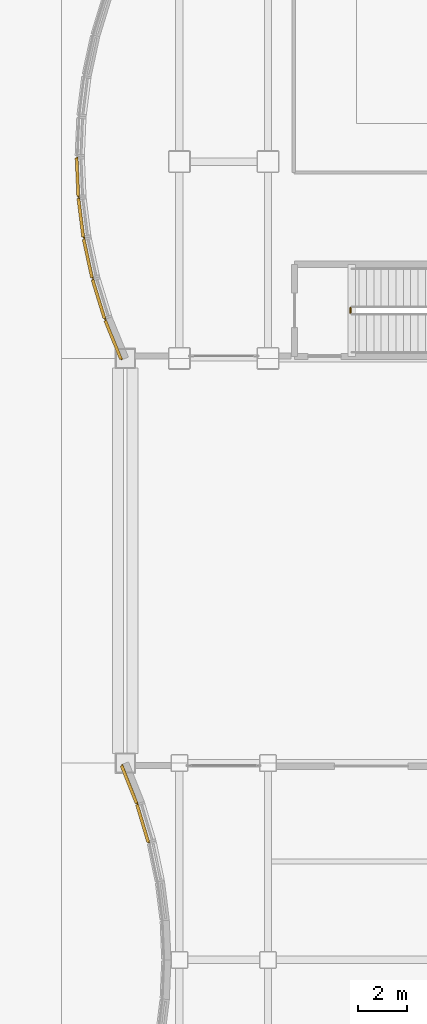
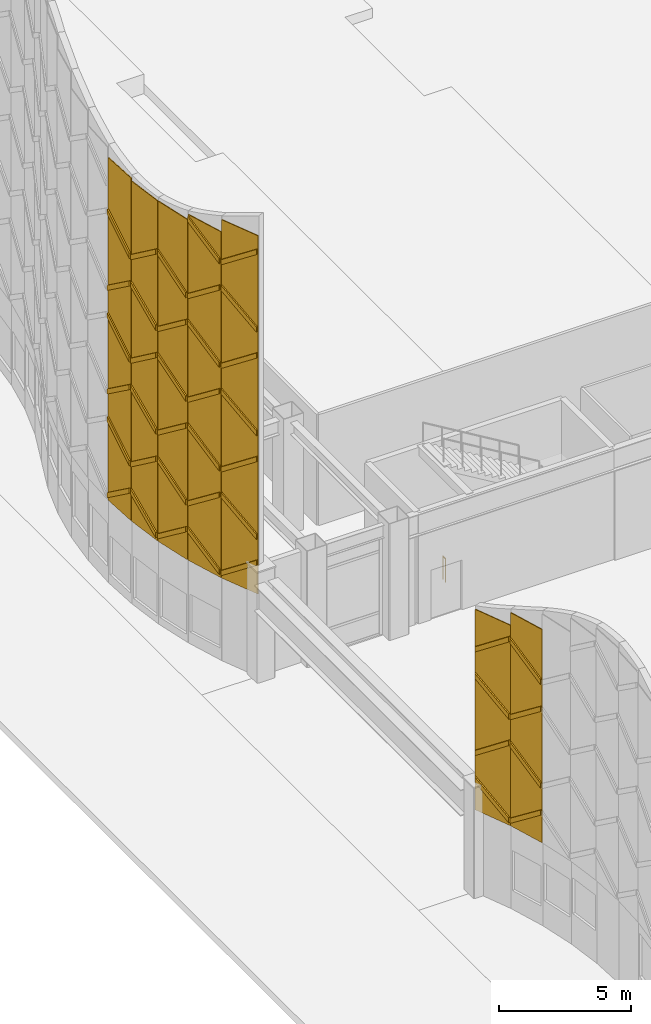
# One storey, part 144 of 165: 47 coverings, 1 railing.
"""IFC4 building model written with IfcOpenShell, lengths in metres."""

from ifc_helpers import new_model, si_unit, direction, frame, origin, origin_2d, place, context, subcontext, project, spatial, polyline, rectangle, circle, outline, extrude, material, layer, layer_set, type_object, element, save


model = new_model("IFC4")

# Units and contexts
model_context = context("Model", 3, precision=1e-05, world=origin(), true_north=direction((0.0, 1.0)))
body_context = subcontext(model_context, "Body", "Model", "MODEL_VIEW")
ifc_project = project(units=[si_unit("LENGTHUNIT", "METRE"), si_unit("AREAUNIT", "SQUARE_METRE"), si_unit("VOLUMEUNIT", "CUBIC_METRE"), si_unit("PLANEANGLEUNIT", "RADIAN"), si_unit("MASSUNIT", "GRAM", prefix="KILO")], contexts=[model_context])

# Site, building, storey
site_placement = place(None, origin())
site = spatial("IfcSite", under=ifc_project, at=site_placement, CompositionType="ELEMENT")
building_placement = place(site_placement, origin())
building = spatial("IfcBuilding", under=site, at=building_placement, Name="Kazehara Bluff Congress Hotel", CompositionType="ELEMENT")
storey_placement = place(building_placement, origin())
storey = spatial("IfcBuildingStorey", under=building, at=storey_placement, Name="L00", CompositionType="ELEMENT", Elevation=0.0)

# Coverings
ifc_material_1 = material(Name="Basalt stone-grey chevron ceramic tile", Category="masonry")
ifc_layer_1 = layer(ifc_material_1, 0.1201171875)
ifc_layer_set_1 = layer_set([ifc_layer_1], Name="Basalt stone-grey chevron ceramic tile")
covering_type_1 = type_object("IfcCoveringType", Name="TP-CHV-RIB", PredefinedType="CLADDING", material=ifc_layer_set_1)
covering_1_placement = place(storey_placement, frame((3.544921875, 28.75, 4.0), z_axis=(0.0, 0.0, 1.0), x_axis=(-0.287321069857, 0.957834329525, 0.0)))
element("IfcCovering", 1, at=covering_1_placement, inside=storey, type_object=covering_type_1, Name="Chevron stone-grey tile rib WR-V2-19-1", PredefinedType="CLADDING", context=body_context, shape_type="SweptSolid", body=[
    extrude(outline(polyline([(0.0400390625, 1.14501953125), (1.6298828125, 0.0), (1.6298828125, 0.239990234375), (0.0400390625, 1.385009765625), (0.0400390625, 1.14501953125)])), frame((0.0, 0.06005859375, 0.0), z_axis=(0.0, -1.0, 0.0), x_axis=(1.0, 0.0, 0.0)), (0.0, 0.0, 1.0), 0.1201171875),
])
covering_2_placement = place(storey_placement, frame((3.544921875, 28.75, 6.39990234375), z_axis=(0.0, 0.0, 1.0), x_axis=(-0.287321069857, 0.957834329525, 0.0)))
element("IfcCovering", 2, at=covering_2_placement, inside=storey, type_object=covering_type_1, Name="Chevron stone-grey tile rib WR-V2-19-2", PredefinedType="CLADDING", context=body_context, shape_type="SweptSolid", body=[
    extrude(outline(polyline([(0.0400390625, 0.0), (1.6298828125, 1.14501953125), (1.6298828125, 1.385009765625), (0.0400390625, 0.239990234375), (0.0400390625, 0.0)])), frame((0.0, 0.06005859375, 0.0), z_axis=(0.0, -1.0, 0.0), x_axis=(1.0, 0.0, 0.0)), (0.0, 0.0, 1.0), 0.1201171875),
])
covering_3_placement = place(storey_placement, frame((3.544921875, 28.75, 8.800048828125), z_axis=(0.0, 0.0, 1.0), x_axis=(-0.287321069857, 0.957834329525, 0.0)))
element("IfcCovering", 3, at=covering_3_placement, inside=storey, type_object=covering_type_1, Name="Chevron stone-grey tile rib WR-V2-19-3", PredefinedType="CLADDING", context=body_context, shape_type="SweptSolid", body=[
    extrude(outline(polyline([(0.0400390625, 1.14501953125), (1.6298828125, 0.0), (1.6298828125, 0.239990234375), (0.0400390625, 1.385009765625), (0.0400390625, 1.14501953125)])), frame((0.0, 0.06005859375, 0.0), z_axis=(0.0, -1.0, 0.0), x_axis=(1.0, 0.0, 0.0)), (0.0, 0.0, 1.0), 0.1201171875),
])
covering_4_placement = place(storey_placement, frame((3.544921875, 28.75, 11.199951171875), z_axis=(0.0, 0.0, 1.0), x_axis=(-0.287321069857, 0.957834329525, 0.0)))
element("IfcCovering", 4, at=covering_4_placement, inside=storey, type_object=covering_type_1, Name="Chevron stone-grey tile rib WR-V2-19-4", PredefinedType="CLADDING", context=body_context, shape_type="SweptSolid", body=[
    extrude(outline(polyline([(0.0400390625, 0.0), (1.6298828125, 1.14501953125), (1.6298828125, 1.385009765625), (0.0400390625, 0.239990234375), (0.0400390625, 0.0)])), frame((0.0, 0.06005859375, 0.0), z_axis=(0.0, -1.0, 0.0), x_axis=(1.0, 0.0, 0.0)), (0.0, 0.0, 1.0), 0.1201171875),
])
covering_5_placement = place(storey_placement, frame((3.070068359375, 30.3349609375, 4.0), z_axis=(0.0, 0.0, 1.0), x_axis=(-0.368870803066, 0.92948067793, 0.0)))
element("IfcCovering", 5, at=covering_5_placement, inside=storey, type_object=covering_type_1, Name="Chevron stone-grey tile rib WR-V2-20-1", PredefinedType="CLADDING", context=body_context, shape_type="SweptSolid", body=[
    extrude(outline(polyline([(0.0400390625, 0.0), (1.679931640625, 1.179931640625), (1.679931640625, 1.419921875), (0.0400390625, 0.239990234375), (0.0400390625, 0.0)])), frame((0.0, 0.06005859375, 0.0), z_axis=(0.0, -1.0, 0.0), x_axis=(1.0, 0.0, 0.0)), (0.0, 0.0, 1.0), 0.1201171875),
])
covering_6_placement = place(storey_placement, frame((3.070068359375, 30.3349609375, 6.39990234375), z_axis=(0.0, 0.0, 1.0), x_axis=(-0.368870803066, 0.92948067793, 0.0)))
element("IfcCovering", 6, at=covering_6_placement, inside=storey, type_object=covering_type_1, Name="Chevron stone-grey tile rib WR-V2-20-2", PredefinedType="CLADDING", context=body_context, shape_type="SweptSolid", body=[
    extrude(outline(polyline([(0.0400390625, 1.18017578125), (1.679931640625, 0.0), (1.679931640625, 0.239990234375), (0.0400390625, 1.420166015625), (0.0400390625, 1.18017578125)])), frame((0.0, 0.06005859375, 0.0), z_axis=(0.0, -1.0, 0.0), x_axis=(1.0, 0.0, 0.0)), (0.0, 0.0, 1.0), 0.1201171875),
])
covering_7_placement = place(storey_placement, frame((3.070068359375, 30.3349609375, 8.800048828125), z_axis=(0.0, 0.0, 1.0), x_axis=(-0.368870803066, 0.92948067793, 0.0)))
element("IfcCovering", 7, at=covering_7_placement, inside=storey, type_object=covering_type_1, Name="Chevron stone-grey tile rib WR-V2-20-3", PredefinedType="CLADDING", context=body_context, shape_type="SweptSolid", body=[
    extrude(outline(polyline([(0.0400390625, 0.0), (1.679931640625, 1.179931640625), (1.679931640625, 1.419921875), (0.0400390625, 0.239990234375), (0.0400390625, 0.0)])), frame((0.0, 0.06005859375, 0.0), z_axis=(0.0, -1.0, 0.0), x_axis=(1.0, 0.0, 0.0)), (0.0, 0.0, 1.0), 0.1201171875),
])
covering_8_placement = place(storey_placement, frame((3.070068359375, 30.3349609375, 11.199951171875), z_axis=(0.0, 0.0, 1.0), x_axis=(-0.368870803066, 0.92948067793, 0.0)))
element("IfcCovering", 8, at=covering_8_placement, inside=storey, type_object=covering_type_1, Name="Chevron stone-grey tile rib WR-V2-20-4", PredefinedType="CLADDING", context=body_context, shape_type="SweptSolid", body=[
    extrude(outline(polyline([(0.0400390625, 1.179931640625), (1.679931640625, 0.0), (1.679931640625, 0.239990234375), (0.0400390625, 1.420166015625), (0.0400390625, 1.179931640625)])), frame((0.0, 0.06005859375, 0.0), z_axis=(0.0, -1.0, 0.0), x_axis=(1.0, 0.0, 0.0)), (0.0, 0.0, 1.0), 0.1201171875),
])
covering_9_placement = place(storey_placement, frame((2.43994140625, 48.385009765625, 4.0), z_axis=(0.0, 0.0, 1.0), x_axis=(-0.378176653847, 0.925733448939, 0.0)))
element("IfcCovering", 9, at=covering_9_placement, inside=storey, type_object=covering_type_1, Name="Chevron stone-grey tile rib WR-V1-01-1", PredefinedType="CLADDING", context=body_context, shape_type="SweptSolid", body=[
    extrude(outline(polyline([(0.0400390625, 1.199951171875), (1.72998046875, 0.0), (1.72998046875, 0.239990234375), (0.0400390625, 1.43994140625), (0.0400390625, 1.199951171875)])), frame((0.0, 0.06005859375, 0.0), z_axis=(0.0, -1.0, 0.0), x_axis=(1.0, 0.0, 0.0)), (0.0, 0.0, 1.0), 0.1201171875),
])
covering_10_placement = place(storey_placement, frame((2.43994140625, 48.385009765625, 6.39990234375), z_axis=(0.0, 0.0, 1.0), x_axis=(-0.378176653847, 0.925733448939, 0.0)))
element("IfcCovering", 10, at=covering_10_placement, inside=storey, type_object=covering_type_1, Name="Chevron stone-grey tile rib WR-V1-01-2", PredefinedType="CLADDING", context=body_context, shape_type="SweptSolid", body=[
    extrude(outline(polyline([(0.0400390625, 0.0), (1.72998046875, 1.2001953125), (1.72998046875, 1.440185546875), (0.0400390625, 0.239990234375), (0.0400390625, 0.0)])), frame((0.0, 0.06005859375, 0.0), z_axis=(0.0, -1.0, 0.0), x_axis=(1.0, 0.0, 0.0)), (0.0, 0.0, 1.0), 0.1201171875),
])
covering_11_placement = place(storey_placement, frame((2.43994140625, 48.385009765625, 8.800048828125), z_axis=(0.0, 0.0, 1.0), x_axis=(-0.378176653847, 0.925733448939, 0.0)))
element("IfcCovering", 11, at=covering_11_placement, inside=storey, type_object=covering_type_1, Name="Chevron stone-grey tile rib WR-V1-01-3", PredefinedType="CLADDING", context=body_context, shape_type="SweptSolid", body=[
    extrude(outline(polyline([(0.0400390625, 1.199951171875), (1.72998046875, 0.0), (1.72998046875, 0.239990234375), (0.0400390625, 1.43994140625), (0.0400390625, 1.199951171875)])), frame((0.0, 0.06005859375, 0.0), z_axis=(0.0, -1.0, 0.0), x_axis=(1.0, 0.0, 0.0)), (0.0, 0.0, 1.0), 0.1201171875),
])
covering_12_placement = place(storey_placement, frame((2.43994140625, 48.385009765625, 11.199951171875), z_axis=(0.0, 0.0, 1.0), x_axis=(-0.378176653847, 0.925733448939, 0.0)))
element("IfcCovering", 12, at=covering_12_placement, inside=storey, type_object=covering_type_1, Name="Chevron stone-grey tile rib WR-V1-01-4", PredefinedType="CLADDING", context=body_context, shape_type="SweptSolid", body=[
    extrude(outline(polyline([(0.0400390625, 0.0), (1.72998046875, 1.199951171875), (1.72998046875, 1.43994140625), (0.0400390625, 0.239990234375), (0.0400390625, 0.0)])), frame((0.0, 0.06005859375, 0.0), z_axis=(0.0, -1.0, 0.0), x_axis=(1.0, 0.0, 0.0)), (0.0, 0.0, 1.0), 0.1201171875),
])
covering_13_placement = place(storey_placement, frame((2.43994140625, 48.385009765625, 13.60009765625), z_axis=(0.0, 0.0, 1.0), x_axis=(-0.378176653847, 0.925733448939, 0.0)))
element("IfcCovering", 13, at=covering_13_placement, inside=storey, type_object=covering_type_1, Name="Chevron stone-grey tile rib WR-V1-01-5", PredefinedType="CLADDING", context=body_context, shape_type="SweptSolid", body=[
    extrude(outline(polyline([(0.0400390625, 1.199951171875), (1.72998046875, 0.0), (1.72998046875, 0.239990234375), (0.0400390625, 1.43994140625), (0.0400390625, 1.199951171875)])), frame((0.0, 0.06005859375, 0.0), z_axis=(0.0, -1.0, 0.0), x_axis=(1.0, 0.0, 0.0)), (0.0, 0.0, 1.0), 0.1201171875),
])
covering_14_placement = place(storey_placement, frame((2.43994140625, 48.385009765625, 16.0), z_axis=(0.0, 0.0, 1.0), x_axis=(-0.378176653847, 0.925733448939, 0.0)))
element("IfcCovering", 14, at=covering_14_placement, inside=storey, type_object=covering_type_1, Name="Chevron stone-grey tile rib WR-V1-01-6", PredefinedType="CLADDING", context=body_context, shape_type="SweptSolid", body=[
    extrude(outline(polyline([(0.0400390625, 0.0), (1.72998046875, 1.199951171875), (1.72998046875, 1.43994140625), (0.0400390625, 0.239990234375), (0.0400390625, 0.0)])), frame((0.0, 0.06005859375, 0.0), z_axis=(0.0, -1.0, 0.0), x_axis=(1.0, 0.0, 0.0)), (0.0, 0.0, 1.0), 0.1201171875),
])
covering_15_placement = place(storey_placement, frame((2.43994140625, 48.385009765625, 18.39990234375), z_axis=(0.0, 0.0, 1.0), x_axis=(-0.378176653847, 0.925733448939, 0.0)))
element("IfcCovering", 15, at=covering_15_placement, inside=storey, type_object=covering_type_1, Name="Chevron stone-grey tile rib WR-V1-01-7", PredefinedType="CLADDING", context=body_context, shape_type="SweptSolid", body=[
    extrude(outline(polyline([(0.0400390625, 1.2001953125), (1.72998046875, 0.0), (1.72998046875, 0.239990234375), (0.0400390625, 1.440185546875), (0.0400390625, 1.2001953125)])), frame((0.0, 0.06005859375, 0.0), z_axis=(0.0, -1.0, 0.0), x_axis=(1.0, 0.0, 0.0)), (0.0, 0.0, 1.0), 0.1201171875),
])
covering_16_placement = place(storey_placement, frame((1.764892578125, 50.0400390625, 4.0), z_axis=(0.0, 0.0, 1.0), x_axis=(-0.294245819444, 0.955729772342, 0.0)))
element("IfcCovering", 16, at=covering_16_placement, inside=storey, type_object=covering_type_1, Name="Chevron stone-grey tile rib WR-V1-02-1", PredefinedType="CLADDING", context=body_context, shape_type="SweptSolid", body=[
    extrude(outline(polyline([(0.0400390625, 0.0), (1.675048828125, 1.175048828125), (1.675048828125, 1.4150390625), (0.0400390625, 0.239990234375), (0.0400390625, 0.0)])), frame((0.0, 0.06005859375, 0.0), z_axis=(0.0, -1.0, 0.0), x_axis=(1.0, 0.0, 0.0)), (0.0, 0.0, 1.0), 0.1201171875),
])
covering_17_placement = place(storey_placement, frame((1.764892578125, 50.0400390625, 6.39990234375), z_axis=(0.0, 0.0, 1.0), x_axis=(-0.294245819444, 0.955729772342, 0.0)))
element("IfcCovering", 17, at=covering_17_placement, inside=storey, type_object=covering_type_1, Name="Chevron stone-grey tile rib WR-V1-02-2", PredefinedType="CLADDING", context=body_context, shape_type="SweptSolid", body=[
    extrude(outline(polyline([(0.0400390625, 1.175048828125), (1.675048828125, 0.0), (1.675048828125, 0.239990234375), (0.0400390625, 1.4150390625), (0.0400390625, 1.175048828125)])), frame((0.0, 0.06005859375, 0.0), z_axis=(0.0, -1.0, 0.0), x_axis=(1.0, 0.0, 0.0)), (0.0, 0.0, 1.0), 0.1201171875),
])
covering_18_placement = place(storey_placement, frame((1.764892578125, 50.0400390625, 8.800048828125), z_axis=(0.0, 0.0, 1.0), x_axis=(-0.294245819444, 0.955729772342, 0.0)))
element("IfcCovering", 18, at=covering_18_placement, inside=storey, type_object=covering_type_1, Name="Chevron stone-grey tile rib WR-V1-02-3", PredefinedType="CLADDING", context=body_context, shape_type="SweptSolid", body=[
    extrude(outline(polyline([(0.0400390625, 0.0), (1.675048828125, 1.175048828125), (1.675048828125, 1.4150390625), (0.0400390625, 0.239990234375), (0.0400390625, 0.0)])), frame((0.0, 0.06005859375, 0.0), z_axis=(0.0, -1.0, 0.0), x_axis=(1.0, 0.0, 0.0)), (0.0, 0.0, 1.0), 0.1201171875),
])
covering_19_placement = place(storey_placement, frame((1.764892578125, 50.0400390625, 11.199951171875), z_axis=(0.0, 0.0, 1.0), x_axis=(-0.294245819444, 0.955729772342, 0.0)))
element("IfcCovering", 19, at=covering_19_placement, inside=storey, type_object=covering_type_1, Name="Chevron stone-grey tile rib WR-V1-02-4", PredefinedType="CLADDING", context=body_context, shape_type="SweptSolid", body=[
    extrude(outline(polyline([(0.0400390625, 1.175048828125), (1.675048828125, 0.0), (1.675048828125, 0.239990234375), (0.0400390625, 1.4150390625), (0.0400390625, 1.175048828125)])), frame((0.0, 0.06005859375, 0.0), z_axis=(0.0, -1.0, 0.0), x_axis=(1.0, 0.0, 0.0)), (0.0, 0.0, 1.0), 0.1201171875),
])
covering_20_placement = place(storey_placement, frame((1.764892578125, 50.0400390625, 13.60009765625), z_axis=(0.0, 0.0, 1.0), x_axis=(-0.294245819444, 0.955729772342, 0.0)))
element("IfcCovering", 20, at=covering_20_placement, inside=storey, type_object=covering_type_1, Name="Chevron stone-grey tile rib WR-V1-02-5", PredefinedType="CLADDING", context=body_context, shape_type="SweptSolid", body=[
    extrude(outline(polyline([(0.0400390625, 0.0), (1.675048828125, 1.1748046875), (1.675048828125, 1.414794921875), (0.0400390625, 0.239990234375), (0.0400390625, 0.0)])), frame((0.0, 0.06005859375, 0.0), z_axis=(0.0, -1.0, 0.0), x_axis=(1.0, 0.0, 0.0)), (0.0, 0.0, 1.0), 0.1201171875),
])
covering_21_placement = place(storey_placement, frame((1.764892578125, 50.0400390625, 16.0), z_axis=(0.0, 0.0, 1.0), x_axis=(-0.294245819444, 0.955729772342, 0.0)))
element("IfcCovering", 21, at=covering_21_placement, inside=storey, type_object=covering_type_1, Name="Chevron stone-grey tile rib WR-V1-02-6", PredefinedType="CLADDING", context=body_context, shape_type="SweptSolid", body=[
    extrude(outline(polyline([(0.0400390625, 1.175048828125), (1.675048828125, 0.0), (1.675048828125, 0.239990234375), (0.0400390625, 1.4150390625), (0.0400390625, 1.175048828125)])), frame((0.0, 0.06005859375, 0.0), z_axis=(0.0, -1.0, 0.0), x_axis=(1.0, 0.0, 0.0)), (0.0, 0.0, 1.0), 0.1201171875),
])
covering_22_placement = place(storey_placement, frame((1.764892578125, 50.0400390625, 18.39990234375), z_axis=(0.0, 0.0, 1.0), x_axis=(-0.294245819444, 0.955729772342, 0.0)))
element("IfcCovering", 22, at=covering_22_placement, inside=storey, type_object=covering_type_1, Name="Chevron stone-grey tile rib WR-V1-02-7", PredefinedType="CLADDING", context=body_context, shape_type="SweptSolid", body=[
    extrude(outline(polyline([(0.0400390625, 0.0), (1.675048828125, 1.175048828125), (1.675048828125, 1.4150390625), (0.0400390625, 0.239990234375), (0.0400390625, 0.0)])), frame((0.0, 0.06005859375, 0.0), z_axis=(0.0, -1.0, 0.0), x_axis=(1.0, 0.0, 0.0)), (0.0, 0.0, 1.0), 0.1201171875),
])
covering_23_placement = place(storey_placement, frame((1.2548828125, 51.695068359375, 4.0), z_axis=(0.0, 0.0, 1.0), x_axis=(-0.212169138818, 0.977232959193, 0.0)))
element("IfcCovering", 23, at=covering_23_placement, inside=storey, type_object=covering_type_1, Name="Chevron stone-grey tile rib WR-V1-03-1", PredefinedType="CLADDING", context=body_context, shape_type="SweptSolid", body=[
    extrude(outline(polyline([(0.0400390625, 1.14990234375), (1.635009765625, 0.0), (1.635009765625, 0.239990234375), (0.0400390625, 1.389892578125), (0.0400390625, 1.14990234375)])), frame((0.0, 0.06005859375, 0.0), z_axis=(0.0, -1.0, 0.0), x_axis=(1.0, 0.0, 0.0)), (0.0, 0.0, 1.0), 0.1201171875),
])
covering_24_placement = place(storey_placement, frame((1.2548828125, 51.695068359375, 6.39990234375), z_axis=(0.0, 0.0, 1.0), x_axis=(-0.212169138818, 0.977232959193, 0.0)))
element("IfcCovering", 24, at=covering_24_placement, inside=storey, type_object=covering_type_1, Name="Chevron stone-grey tile rib WR-V1-03-2", PredefinedType="CLADDING", context=body_context, shape_type="SweptSolid", body=[
    extrude(outline(polyline([(0.0400390625, 0.0), (1.635009765625, 1.150146484375), (1.635009765625, 1.39013671875), (0.0400390625, 0.239990234375), (0.0400390625, 0.0)])), frame((0.0, 0.06005859375, 0.0), z_axis=(0.0, -1.0, 0.0), x_axis=(1.0, 0.0, 0.0)), (0.0, 0.0, 1.0), 0.1201171875),
])
covering_25_placement = place(storey_placement, frame((1.2548828125, 51.695068359375, 8.800048828125), z_axis=(0.0, 0.0, 1.0), x_axis=(-0.212169138818, 0.977232959193, 0.0)))
element("IfcCovering", 25, at=covering_25_placement, inside=storey, type_object=covering_type_1, Name="Chevron stone-grey tile rib WR-V1-03-3", PredefinedType="CLADDING", context=body_context, shape_type="SweptSolid", body=[
    extrude(outline(polyline([(0.0400390625, 1.14990234375), (1.635009765625, 0.0), (1.635009765625, 0.239990234375), (0.0400390625, 1.389892578125), (0.0400390625, 1.14990234375)])), frame((0.0, 0.06005859375, 0.0), z_axis=(0.0, -1.0, 0.0), x_axis=(1.0, 0.0, 0.0)), (0.0, 0.0, 1.0), 0.1201171875),
])
covering_26_placement = place(storey_placement, frame((1.2548828125, 51.695068359375, 11.199951171875), z_axis=(0.0, 0.0, 1.0), x_axis=(-0.212169138818, 0.977232959193, 0.0)))
element("IfcCovering", 26, at=covering_26_placement, inside=storey, type_object=covering_type_1, Name="Chevron stone-grey tile rib WR-V1-03-4", PredefinedType="CLADDING", context=body_context, shape_type="SweptSolid", body=[
    extrude(outline(polyline([(0.0400390625, 0.0), (1.635009765625, 1.150146484375), (1.635009765625, 1.39013671875), (0.0400390625, 0.239990234375), (0.0400390625, 0.0)])), frame((0.0, 0.06005859375, 0.0), z_axis=(0.0, -1.0, 0.0), x_axis=(1.0, 0.0, 0.0)), (0.0, 0.0, 1.0), 0.1201171875),
])
covering_27_placement = place(storey_placement, frame((1.2548828125, 51.695068359375, 13.60009765625), z_axis=(0.0, 0.0, 1.0), x_axis=(-0.212169138818, 0.977232959193, 0.0)))
element("IfcCovering", 27, at=covering_27_placement, inside=storey, type_object=covering_type_1, Name="Chevron stone-grey tile rib WR-V1-03-5", PredefinedType="CLADDING", context=body_context, shape_type="SweptSolid", body=[
    extrude(outline(polyline([(0.0400390625, 1.14990234375), (1.635009765625, 0.0), (1.635009765625, 0.239990234375), (0.0400390625, 1.389892578125), (0.0400390625, 1.14990234375)])), frame((0.0, 0.06005859375, 0.0), z_axis=(0.0, -1.0, 0.0), x_axis=(1.0, 0.0, 0.0)), (0.0, 0.0, 1.0), 0.1201171875),
])
covering_28_placement = place(storey_placement, frame((1.2548828125, 51.695068359375, 16.0), z_axis=(0.0, 0.0, 1.0), x_axis=(-0.212169138818, 0.977232959193, 0.0)))
element("IfcCovering", 28, at=covering_28_placement, inside=storey, type_object=covering_type_1, Name="Chevron stone-grey tile rib WR-V1-03-6", PredefinedType="CLADDING", context=body_context, shape_type="SweptSolid", body=[
    extrude(outline(polyline([(0.0400390625, 0.0), (1.635009765625, 1.14990234375), (1.635009765625, 1.389892578125), (0.0400390625, 0.239990234375), (0.0400390625, 0.0)])), frame((0.0, 0.06005859375, 0.0), z_axis=(0.0, -1.0, 0.0), x_axis=(1.0, 0.0, 0.0)), (0.0, 0.0, 1.0), 0.1201171875),
])
covering_29_placement = place(storey_placement, frame((0.89501953125, 53.344970703125, 4.0), z_axis=(0.0, 0.0, 1.0), x_axis=(-0.124071092335, 0.992273331319, 0.0)))
element("IfcCovering", 29, at=covering_29_placement, inside=storey, type_object=covering_type_1, Name="Chevron stone-grey tile rib WR-V1-04-1", PredefinedType="CLADDING", context=body_context, shape_type="SweptSolid", body=[
    extrude(outline(polyline([(0.0400390625, 0.0), (1.614990234375, 1.135009765625), (1.614990234375, 1.375), (0.0400390625, 0.239990234375), (0.0400390625, 0.0)])), frame((0.0, 0.06005859375, 0.0), z_axis=(0.0, -1.0, 0.0), x_axis=(1.0, 0.0, 0.0)), (0.0, 0.0, 1.0), 0.1201171875),
])
covering_30_placement = place(storey_placement, frame((0.89501953125, 53.344970703125, 6.39990234375), z_axis=(0.0, 0.0, 1.0), x_axis=(-0.124071092335, 0.992273331319, 0.0)))
element("IfcCovering", 30, at=covering_30_placement, inside=storey, type_object=covering_type_1, Name="Chevron stone-grey tile rib WR-V1-04-2", PredefinedType="CLADDING", context=body_context, shape_type="SweptSolid", body=[
    extrude(outline(polyline([(0.0400390625, 1.135009765625), (1.614990234375, 0.0), (1.614990234375, 0.239990234375), (0.0400390625, 1.375), (0.0400390625, 1.135009765625)])), frame((0.0, 0.06005859375, 0.0), z_axis=(0.0, -1.0, 0.0), x_axis=(1.0, 0.0, 0.0)), (0.0, 0.0, 1.0), 0.1201171875),
])
covering_31_placement = place(storey_placement, frame((0.89501953125, 53.344970703125, 8.800048828125), z_axis=(0.0, 0.0, 1.0), x_axis=(-0.124071092335, 0.992273331319, 0.0)))
element("IfcCovering", 31, at=covering_31_placement, inside=storey, type_object=covering_type_1, Name="Chevron stone-grey tile rib WR-V1-04-3", PredefinedType="CLADDING", context=body_context, shape_type="SweptSolid", body=[
    extrude(outline(polyline([(0.0400390625, 0.0), (1.614990234375, 1.135009765625), (1.614990234375, 1.375), (0.0400390625, 0.239990234375), (0.0400390625, 0.0)])), frame((0.0, 0.06005859375, 0.0), z_axis=(0.0, -1.0, 0.0), x_axis=(1.0, 0.0, 0.0)), (0.0, 0.0, 1.0), 0.1201171875),
])
covering_32_placement = place(storey_placement, frame((0.89501953125, 53.344970703125, 11.199951171875), z_axis=(0.0, 0.0, 1.0), x_axis=(-0.124071092335, 0.992273331319, 0.0)))
element("IfcCovering", 32, at=covering_32_placement, inside=storey, type_object=covering_type_1, Name="Chevron stone-grey tile rib WR-V1-04-4", PredefinedType="CLADDING", context=body_context, shape_type="SweptSolid", body=[
    extrude(outline(polyline([(0.0400390625, 1.135009765625), (1.614990234375, 0.0), (1.614990234375, 0.239990234375), (0.0400390625, 1.375), (0.0400390625, 1.135009765625)])), frame((0.0, 0.06005859375, 0.0), z_axis=(0.0, -1.0, 0.0), x_axis=(1.0, 0.0, 0.0)), (0.0, 0.0, 1.0), 0.1201171875),
])
covering_33_placement = place(storey_placement, frame((0.89501953125, 53.344970703125, 13.60009765625), z_axis=(0.0, 0.0, 1.0), x_axis=(-0.124071092335, 0.992273331319, 0.0)))
element("IfcCovering", 33, at=covering_33_placement, inside=storey, type_object=covering_type_1, Name="Chevron stone-grey tile rib WR-V1-04-5", PredefinedType="CLADDING", context=body_context, shape_type="SweptSolid", body=[
    extrude(outline(polyline([(0.0400390625, 0.0), (1.614990234375, 1.135009765625), (1.614990234375, 1.375), (0.0400390625, 0.239990234375), (0.0400390625, 0.0)])), frame((0.0, 0.06005859375, 0.0), z_axis=(0.0, -1.0, 0.0), x_axis=(1.0, 0.0, 0.0)), (0.0, 0.0, 1.0), 0.1201171875),
])
covering_34_placement = place(storey_placement, frame((0.89501953125, 53.344970703125, 16.0), z_axis=(0.0, 0.0, 1.0), x_axis=(-0.124071092335, 0.992273331319, 0.0)))
element("IfcCovering", 34, at=covering_34_placement, inside=storey, type_object=covering_type_1, Name="Chevron stone-grey tile rib WR-V1-04-6", PredefinedType="CLADDING", context=body_context, shape_type="SweptSolid", body=[
    extrude(outline(polyline([(0.0400390625, 1.135009765625), (1.614990234375, 0.0), (1.614990234375, 0.239990234375), (0.0400390625, 1.375), (0.0400390625, 1.135009765625)])), frame((0.0, 0.06005859375, 0.0), z_axis=(0.0, -1.0, 0.0), x_axis=(1.0, 0.0, 0.0)), (0.0, 0.0, 1.0), 0.1201171875),
])
covering_35_placement = place(storey_placement, frame((0.68994140625, 55.0, 4.0), z_axis=(0.0, 0.0, 1.0), x_axis=(-0.042539988504, 0.999094764964, 0.0)))
element("IfcCovering", 35, at=covering_35_placement, inside=storey, type_object=covering_type_1, Name="Chevron stone-grey tile rib WR-V1-05-1", PredefinedType="CLADDING", context=body_context, shape_type="SweptSolid", body=[
    extrude(outline(polyline([(0.0400390625, 1.125), (1.60009765625, 0.0), (1.60009765625, 0.239990234375), (0.0400390625, 1.364990234375), (0.0400390625, 1.125)])), frame((0.0, 0.06005859375, 0.0), z_axis=(0.0, -1.0, 0.0), x_axis=(1.0, 0.0, 0.0)), (0.0, 0.0, 1.0), 0.1201171875),
])
covering_36_placement = place(storey_placement, frame((0.68994140625, 55.0, 6.39990234375), z_axis=(0.0, 0.0, 1.0), x_axis=(-0.042539988504, 0.999094764964, 0.0)))
element("IfcCovering", 36, at=covering_36_placement, inside=storey, type_object=covering_type_1, Name="Chevron stone-grey tile rib WR-V1-05-2", PredefinedType="CLADDING", context=body_context, shape_type="SweptSolid", body=[
    extrude(outline(polyline([(0.0400390625, 0.0), (1.60009765625, 1.125), (1.60009765625, 1.364990234375), (0.0400390625, 0.239990234375), (0.0400390625, 0.0)])), frame((0.0, 0.06005859375, 0.0), z_axis=(0.0, -1.0, 0.0), x_axis=(1.0, 0.0, 0.0)), (0.0, 0.0, 1.0), 0.1201171875),
])
covering_37_placement = place(storey_placement, frame((0.68994140625, 55.0, 8.800048828125), z_axis=(0.0, 0.0, 1.0), x_axis=(-0.042539988504, 0.999094764964, 0.0)))
element("IfcCovering", 37, at=covering_37_placement, inside=storey, type_object=covering_type_1, Name="Chevron stone-grey tile rib WR-V1-05-3", PredefinedType="CLADDING", context=body_context, shape_type="SweptSolid", body=[
    extrude(outline(polyline([(0.0400390625, 1.125), (1.60009765625, 0.0), (1.60009765625, 0.239990234375), (0.0400390625, 1.364990234375), (0.0400390625, 1.125)])), frame((0.0, 0.06005859375, 0.0), z_axis=(0.0, -1.0, 0.0), x_axis=(1.0, 0.0, 0.0)), (0.0, 0.0, 1.0), 0.1201171875),
])
covering_38_placement = place(storey_placement, frame((0.68994140625, 55.0, 11.199951171875), z_axis=(0.0, 0.0, 1.0), x_axis=(-0.042539988504, 0.999094764964, 0.0)))
element("IfcCovering", 38, at=covering_38_placement, inside=storey, type_object=covering_type_1, Name="Chevron stone-grey tile rib WR-V1-05-4", PredefinedType="CLADDING", context=body_context, shape_type="SweptSolid", body=[
    extrude(outline(polyline([(0.0400390625, 0.0), (1.60009765625, 1.125), (1.60009765625, 1.364990234375), (0.0400390625, 0.239990234375), (0.0400390625, 0.0)])), frame((0.0, 0.06005859375, 0.0), z_axis=(0.0, -1.0, 0.0), x_axis=(1.0, 0.0, 0.0)), (0.0, 0.0, 1.0), 0.1201171875),
])
covering_39_placement = place(storey_placement, frame((0.68994140625, 55.0, 13.60009765625), z_axis=(0.0, 0.0, 1.0), x_axis=(-0.042539988504, 0.999094764964, 0.0)))
element("IfcCovering", 39, at=covering_39_placement, inside=storey, type_object=covering_type_1, Name="Chevron stone-grey tile rib WR-V1-05-5", PredefinedType="CLADDING", context=body_context, shape_type="SweptSolid", body=[
    extrude(outline(polyline([(0.0400390625, 1.125), (1.60009765625, 0.0), (1.60009765625, 0.239990234375), (0.0400390625, 1.364990234375), (0.0400390625, 1.125)])), frame((0.0, 0.06005859375, 0.0), z_axis=(0.0, -1.0, 0.0), x_axis=(1.0, 0.0, 0.0)), (0.0, 0.0, 1.0), 0.1201171875),
])
covering_40_placement = place(storey_placement, frame((0.68994140625, 55.0, 16.0), z_axis=(0.0, 0.0, 1.0), x_axis=(-0.042539988504, 0.999094764964, 0.0)))
element("IfcCovering", 40, at=covering_40_placement, inside=storey, type_object=covering_type_1, Name="Chevron stone-grey tile rib WR-V1-05-6", PredefinedType="CLADDING", context=body_context, shape_type="SweptSolid", body=[
    extrude(outline(polyline([(0.0400390625, 0.0), (1.60009765625, 1.125), (1.60009765625, 1.364990234375), (0.0400390625, 0.239990234375), (0.0400390625, 0.0)])), frame((0.0, 0.06005859375, 0.0), z_axis=(0.0, -1.0, 0.0), x_axis=(1.0, 0.0, 0.0)), (0.0, 0.0, 1.0), 0.1201171875),
])
ifc_material_2 = material(Name="Stone-grey ceramic rainscreen", Category="masonry")
ifc_layer_2 = layer(ifc_material_2, 0.044921875)
ifc_layer_set_2 = layer_set([ifc_layer_2], Name="Stone-grey ceramic rainscreen")
covering_type_2 = type_object("IfcCoveringType", Name="TP-CLD-01", PredefinedType="CLADDING", material=ifc_layer_set_2)
covering_41_placement = place(storey_placement, frame((3.330078125, 29.554931640625, 3.8525390625), z_axis=(0.0, 0.0, 1.0), x_axis=(-0.287347146097, 0.957826507062, 0.0)))
element("IfcCovering", 41, at=covering_41_placement, inside=storey, type_object=covering_type_2, Name="Chevron stone-grey ceramic cladding WR-V2-19", PredefinedType="CLADDING", context=body_context, shape_type="SweptSolid", body=[
    extrude(rectangle(XDim=1.64990234375, YDim=0.044921875, at=origin_2d()), origin(), (0.0, 0.0, 1.0), 9.875),
])
covering_42_placement = place(storey_placement, frame((2.780029296875, 31.14501953125, 3.84765625), z_axis=(0.0, 0.0, 1.0), x_axis=(-0.368885506571, 0.929474842608, 0.0)))
element("IfcCovering", 42, at=covering_42_placement, inside=storey, type_object=covering_type_2, Name="Chevron stone-grey ceramic cladding WR-V2-20", PredefinedType="CLADDING", context=body_context, shape_type="SweptSolid", body=[
    extrude(rectangle(XDim=1.699951171875, YDim=0.044921875, at=origin_2d()), origin(), (0.0, 0.0, 1.0), 9.284912109375),
])
covering_43_placement = place(storey_placement, frame((2.125, 49.215087890625, 3.849853515625), z_axis=(0.0, 0.0, 1.0), x_axis=(-0.378193036346, 0.925726756262, 0.0)))
element("IfcCovering", 43, at=covering_43_placement, inside=storey, type_object=covering_type_2, Name="Chevron stone-grey ceramic cladding WR-V1-01", PredefinedType="CLADDING", context=body_context, shape_type="SweptSolid", body=[
    extrude(rectangle(XDim=1.75, YDim=0.044921875, at=origin_2d()), origin(), (0.0, 0.0, 1.0), 16.60009765625),
])
covering_44_placement = place(storey_placement, frame((1.534912109375, 50.864990234375, 3.85009765625), z_axis=(0.0, 0.0, 1.0), x_axis=(-0.294290541179, 0.955716002468, 0.0)))
element("IfcCovering", 44, at=covering_44_placement, inside=storey, type_object=covering_type_2, Name="Chevron stone-grey ceramic cladding WR-V1-02", PredefinedType="CLADDING", context=body_context, shape_type="SweptSolid", body=[
    extrude(rectangle(XDim=1.695068359375, YDim=0.044921875, at=origin_2d()), origin(), (0.0, 0.0, 1.0), 16.02001953125),
])
covering_45_placement = place(storey_placement, frame((1.10009765625, 52.514892578125, 3.85009765625), z_axis=(0.0, 0.0, 1.0), x_axis=(-0.212181083335, 0.977230365817, 0.0)))
element("IfcCovering", 45, at=covering_45_placement, inside=storey, type_object=covering_type_2, Name="Chevron stone-grey ceramic cladding WR-V1-03", PredefinedType="CLADDING", context=body_context, shape_type="SweptSolid", body=[
    extrude(rectangle(XDim=1.655029296875, YDim=0.044921875, at=origin_2d()), origin(), (0.0, 0.0, 1.0), 15.760009765625),
])
covering_46_placement = place(storey_placement, frame((0.820068359375, 54.1650390625, 3.85009765625), z_axis=(0.0, 0.0, 1.0), x_axis=(-0.12403445145, 0.992277912106, 0.0)))
element("IfcCovering", 46, at=covering_46_placement, inside=storey, type_object=covering_type_2, Name="Chevron stone-grey ceramic cladding WR-V1-04", PredefinedType="CLADDING", context=body_context, shape_type="SweptSolid", body=[
    extrude(rectangle(XDim=1.635009765625, YDim=0.044921875, at=origin_2d()), origin(), (0.0, 0.0, 1.0), 15.75),
])
covering_47_placement = place(storey_placement, frame((0.679931640625, 55.820068359375, 3.849853515625), z_axis=(0.0, 0.0, 1.0), x_axis=(-0.0426446563, 0.99909030287, 0.0)))
element("IfcCovering", 47, at=covering_47_placement, inside=storey, type_object=covering_type_2, Name="Chevron stone-grey ceramic cladding WR-V1-05", PredefinedType="CLADDING", context=body_context, shape_type="SweptSolid", body=[
    extrude(rectangle(XDim=1.6201171875, YDim=0.044921875, at=origin_2d()), origin(), (0.0, 0.0, 1.0), 15.8701171875),
])

# Railing
ifc_material_3 = material(Name="Brushed stainless steel", Category="steel")
railing_type = type_object("IfcRailingType", Name="TP-GRD-INT", PredefinedType="GUARDRAIL", material=ifc_material_3)
railing_placement = place(storey_placement, frame((11.75, 50.300048828125, 0.0)))
element("IfcRailing", 48, at=railing_placement, inside=storey, type_object=railing_type, Name="L00 ST-03 stair guard 4", PredefinedType="GUARDRAIL", context=body_context, shape_type="SweptSolid", body=[
    extrude(circle(Radius=0.02392578125, at=origin_2d()), frame((0.0, 0.0, 1.076171875), z_axis=(0.0, 1.0, 0.0), x_axis=(-1.0, 0.0, 0.0)), (0.0, 0.0, 1.0), 0.199951171875),
    extrude(circle(Radius=0.02099609375, at=origin_2d()), origin(), (0.0, 0.0, 1.0), 1.052001953125),
    extrude(circle(Radius=0.02099609375, at=origin_2d()), frame((0.0, 0.199951171875, 0.0)), (0.0, 0.0, 1.0), 1.052001953125),
])

save(model, "model.ifc")
